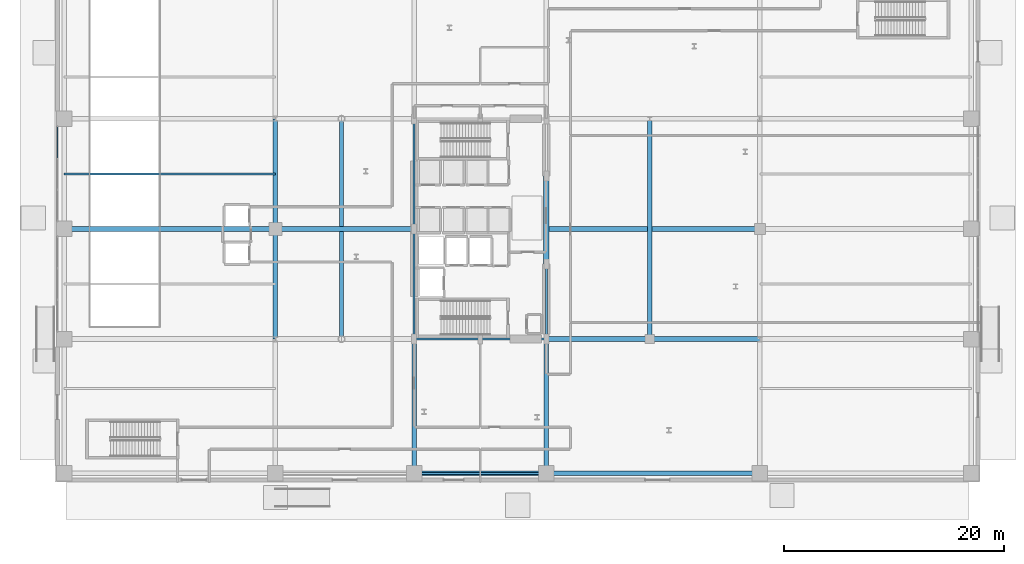
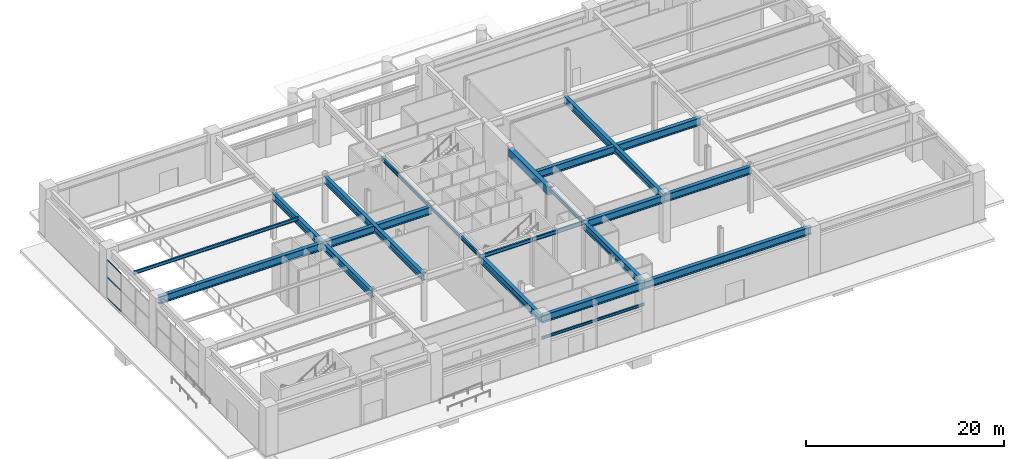
# One storey, part 10 of 31: 21 beams, 3 members, 1 element without a shape of its own.
"""IFC4 building model written with IfcOpenShell, lengths in metres."""

from ifc_helpers import new_model, si_unit, direction, frame, origin, origin_2d, place, context, subcontext, project, spatial, rectangle, hollow_rectangle, i_section, extrude, material, layer, layer_set, material_profile, profile_set, type_object, element, aggregate, save


model = new_model("IFC4")

# Units and contexts
model_context = context("Model", 3, precision=1e-05, world=origin(), true_north=direction((0.0, 1.0)))
body_context = subcontext(model_context, "Body", "Model", "MODEL_VIEW")
ifc_project = project(units=[si_unit("LENGTHUNIT", "METRE"), si_unit("AREAUNIT", "SQUARE_METRE"), si_unit("VOLUMEUNIT", "CUBIC_METRE"), si_unit("PLANEANGLEUNIT", "RADIAN"), si_unit("MASSUNIT", "GRAM", prefix="KILO")], contexts=[model_context])

# Site, building, storey
site_placement = place(None, origin())
site = spatial("IfcSite", under=ifc_project, at=site_placement, CompositionType="ELEMENT")
building_placement = place(site_placement, origin())
building = spatial("IfcBuilding", under=site, at=building_placement, Name="Soratama Intermodal Tower", CompositionType="ELEMENT")
storey_placement = place(building_placement, origin())
storey = spatial("IfcBuildingStorey", under=building, at=storey_placement, Name="L00", CompositionType="ELEMENT", Elevation=0.0)

# Beams
ifc_material_1 = material(Name="Concrete f'c 56 MPa", Category="concrete")
ifc_material_profile_1 = material_profile(ifc_material_1, rectangle(XDim=0.5, YDim=0.949951171875, at=origin_2d()), Name="RC500X950")
ifc_profile_set_1 = profile_set([ifc_material_profile_1], Name="Concrete f'c 56 MPa")
beam_type_1 = type_object("IfcBeamType", Name="BM-CPL-RC500X950", PredefinedType="BEAM", material=ifc_profile_set_1)
beam_1_placement = place(storey_placement, frame((44.60009765625, 21.800048828125, 5.205078125), z_axis=(0.0, 1.0, 0.0), x_axis=(-1.0, 0.0, 0.0)))
element("IfcBeam", 1, at=beam_1_placement, inside=storey, type_object=beam_type_1, Name="L00 Core Coupling Beam East", PredefinedType="BEAM", context=body_context, shape_type="SweptSolid", body=[
    extrude(rectangle(XDim=0.5, YDim=0.949951171875, at=origin_2d()), origin(), (0.0, 0.0, 1.0), 8.0),
])
ifc_material_2 = material(Name="Structural steel ASTM A992 Grade 50", Category="steel")
ifc_material_profile_2 = material_profile(ifc_material_2, i_section(OverallWidth=0.19091796875, OverallDepth=0.4599609375, WebThickness=0.010009765625, FlangeThickness=0.01611328125, FilletRadius=0.010986328125, at=origin_2d()), Name="W18X55")
ifc_profile_set_2 = profile_set([ifc_material_profile_2], Name="Structural steel ASTM A992 Grade 50")
beam_type_2 = type_object("IfcBeamType", Name="BM-FLR-W18X55", PredefinedType="BEAM", material=ifc_profile_set_2)
for number, where, z_axis, x_axis, name in (
    (2, (32.60009765625, 15.0, 5.449951171875), (1.0, 0.0, 0.0), (0.0, 1.0, 0.0), "BM-L00-CRING-01"),
    (3, (38.60009765625, 15.0, 5.449951171875), (1.0, 0.0, 0.0), (0.0, 1.0, 0.0), "BM-L00-CRING-02"),
):
    element("IfcBeam", number, at=place(storey_placement, frame(where, z_axis=z_axis, x_axis=x_axis)), inside=storey, type_object=beam_type_2, Name=name, PredefinedType="BEAM", context=body_context, shape_type="SweptSolid", body=[
        extrude(i_section(OverallWidth=0.19091796875, OverallDepth=0.4599609375, WebThickness=0.010009765625, FlangeThickness=0.01611328125, FilletRadius=0.010986328125, at=origin_2d()), origin(), (0.0, 0.0, 1.0), 6.0),
    ])
beam_2_placement = place(storey_placement, frame((44.60009765625, 15.0, 5.449951171875), z_axis=(0.0, 1.0, 0.0), x_axis=(-1.0, 0.0, 0.0)))
element("IfcBeam", 4, at=beam_2_placement, inside=storey, type_object=beam_type_2, Name="BM-L00-CRING-03", PredefinedType="BEAM", context=body_context, shape_type="SweptSolid", body=[
    extrude(i_section(OverallWidth=0.19091796875, OverallDepth=0.4599609375, WebThickness=0.010009765625, FlangeThickness=0.01611328125, FilletRadius=0.010986328125, at=origin_2d()), origin(), (0.0, 0.0, 1.0), 6.800048828125),
])
for number, where, z_axis, x_axis, name in (
    (5, (32.60009765625, 35.0, 5.449951171875), (0.0, -1.0, 0.0), (1.0, 0.0, 0.0), "BM-L00-CRING-08"),
    (6, (32.60009765625, 25.0, 5.449951171875), (0.0, -1.0, 0.0), (1.0, 0.0, 0.0), "BM-L00-CRING-09"),
):
    element("IfcBeam", number, at=place(storey_placement, frame(where, z_axis=z_axis, x_axis=x_axis)), inside=storey, type_object=beam_type_2, Name=name, PredefinedType="BEAM", context=body_context, shape_type="SweptSolid", body=[
        extrude(i_section(OverallWidth=0.19091796875, OverallDepth=0.4599609375, WebThickness=0.010009765625, FlangeThickness=0.01611328125, FilletRadius=0.010986328125, at=origin_2d()), origin(), (0.0, 0.0, 1.0), 10.0),
    ])
ifc_material_3 = material(Name="Structural steel ASTM A992 Grade 50", Category="steel")
ifc_material_profile_3 = material_profile(ifc_material_3, i_section(OverallWidth=0.177978515625, OverallDepth=0.406982421875, WebThickness=0.0078125, FlangeThickness=0.0126953125, FilletRadius=0.010009765625, at=origin_2d()), Name="W16X40")
ifc_profile_set_3 = profile_set([ifc_material_profile_3], Name="Structural steel ASTM A992 Grade 50")
beam_type_3 = type_object("IfcBeamType", Name="BM-JST-W16X40", PredefinedType="JOIST", material=ifc_profile_set_3)
beam_3_placement = place(storey_placement, frame((0.800048828125, 30.0, 5.4765625), z_axis=(1.0, 0.0, 0.0), x_axis=(0.0, 1.0, 0.0)))
element("IfcBeam", 7, at=beam_3_placement, inside=storey, type_object=beam_type_3, Name="JST-L00-W3", PredefinedType="JOIST", context=body_context, shape_type="SweptSolid", body=[
    extrude(i_section(OverallWidth=0.177978515625, OverallDepth=0.406982421875, WebThickness=0.0078125, FlangeThickness=0.0126953125, FilletRadius=0.010009765625, at=origin_2d()), origin(), (0.0, 0.0, 1.0), 19.199951171875),
])
ifc_material_4 = material(Name="Structural steel ASTM A992 Grade 50", Category="steel")
ifc_material_profile_4 = material_profile(ifc_material_4, i_section(OverallWidth=0.1650390625, OverallDepth=0.31005859375, WebThickness=0.005859375, FlangeThickness=0.009765625, FilletRadius=0.008056640625, at=origin_2d()), Name="W12X26")
ifc_profile_set_4 = profile_set([ifc_material_profile_4], Name="Structural steel ASTM A992 Grade 50")
beam_type_4 = type_object("IfcBeamType", Name="BM-LNT-W12X26", PredefinedType="LINTEL", material=ifc_profile_set_4)
beam_4_placement = place(storey_placement, frame((32.60009765625, 2.800048828125, 2.804931640625), z_axis=(1.0, 0.0, 0.0), x_axis=(0.0, 1.0, 0.0)))
element("IfcBeam", 8, at=beam_4_placement, inside=storey, type_object=beam_type_4, Name="L00 Facade Transom Lintel 2", PredefinedType="LINTEL", context=body_context, shape_type="SweptSolid", body=[
    extrude(i_section(OverallWidth=0.1650390625, OverallDepth=0.31005859375, WebThickness=0.005859375, FlangeThickness=0.009765625, FilletRadius=0.008056640625, at=origin_2d()), origin(), (0.0, 0.0, 1.0), 12.0),
])
ifc_material_5 = material(Name="Structural steel ASTM A992 Grade 50", Category="steel")
ifc_material_profile_5 = material_profile(ifc_material_5, i_section(OverallWidth=0.423095703125, OverallDepth=0.93896484375, WebThickness=0.02392578125, FlangeThickness=0.042724609375, FilletRadius=0.02392578125, at=origin_2d()), Name="W36X302")
ifc_profile_set_5 = profile_set([ifc_material_profile_5], Name="Structural steel ASTM A992 Grade 50")
beam_type_5 = type_object("IfcBeamType", Name="BM-POD-EXT-W36", PredefinedType="BEAM", material=ifc_profile_set_5)
beam_5_placement = place(storey_placement, frame((32.60009765625, 2.800048828125, 5.21044921875), z_axis=(1.0, 0.0, 0.0), x_axis=(0.0, 1.0, 0.0)))
element("IfcBeam", 9, at=beam_5_placement, inside=storey, type_object=beam_type_5, Name="L00 Station Girder X1-3", PredefinedType="BEAM", context=body_context, shape_type="SweptSolid", body=[
    extrude(i_section(OverallWidth=0.423095703125, OverallDepth=0.93896484375, WebThickness=0.02392578125, FlangeThickness=0.042724609375, FilletRadius=0.02392578125, at=origin_2d()), origin(), (0.0, 0.0, 1.0), 12.0),
])
beam_6_placement = place(storey_placement, frame((44.60009765625, 2.800048828125, 5.21044921875), z_axis=(1.0, 0.0, 0.0), x_axis=(0.0, 1.0, 0.0)))
element("IfcBeam", 10, at=beam_6_placement, inside=storey, type_object=beam_type_5, Name="L00 Station Girder X1-4", PredefinedType="BEAM", context=body_context, shape_type="SweptSolid", body=[
    extrude(i_section(OverallWidth=0.423095703125, OverallDepth=0.93896484375, WebThickness=0.02392578125, FlangeThickness=0.042724609375, FilletRadius=0.02392578125, at=origin_2d()), origin(), (0.0, 0.0, 1.0), 19.39990234375),
])
ifc_material_6 = material(Name="Structural steel ASTM A992 Grade 50", Category="steel")
ifc_material_profile_6 = material_profile(ifc_material_6, i_section(OverallWidth=0.403076171875, OverallDepth=0.867919921875, WebThickness=0.02099609375, FlangeThickness=0.03564453125, FilletRadius=0.01806640625, at=origin_2d()), Name="W33X241")
ifc_profile_set_6 = profile_set([ifc_material_profile_6], Name="Structural steel ASTM A992 Grade 50")
beam_type_6 = type_object("IfcBeamType", Name="BM-POD-W33X241", PredefinedType="BEAM", material=ifc_profile_set_6)
for number, where, z_axis, x_axis, name in (
    (11, (20.0, 15.0, 5.24609375), (0.0, 1.0, 0.0), (-1.0, 0.0, 0.0), "L00 Station Girder Y2-2"),
    (12, (20.0, 25.0, 5.24609375), (0.0, 1.0, 0.0), (-1.0, 0.0, 0.0), "L00 Station Girder Y2-3"),
):
    element("IfcBeam", number, at=place(storey_placement, frame(where, z_axis=z_axis, x_axis=x_axis)), inside=storey, type_object=beam_type_6, Name=name, PredefinedType="BEAM", context=body_context, shape_type="SweptSolid", body=[
        extrude(i_section(OverallWidth=0.403076171875, OverallDepth=0.867919921875, WebThickness=0.02099609375, FlangeThickness=0.03564453125, FilletRadius=0.01806640625, at=origin_2d()), origin(), (0.0, 0.0, 1.0), 10.0),
    ])
for number, where, z_axis, x_axis, name in (
    (13, (32.60009765625, 2.800048828125, 5.24609375), (0.0, 1.0, 0.0), (-1.0, 0.0, 0.0), "BM-L00-GYC-1-1"),
    (14, (44.60009765625, 2.800048828125, 5.24609375), (0.0, 1.0, 0.0), (-1.0, 0.0, 0.0), "BM-L00-GYC-2-1"),
):
    element("IfcBeam", number, at=place(storey_placement, frame(where, z_axis=z_axis, x_axis=x_axis)), inside=storey, type_object=beam_type_6, Name=name, PredefinedType="BEAM", context=body_context, shape_type="SweptSolid", body=[
        extrude(i_section(OverallWidth=0.403076171875, OverallDepth=0.867919921875, WebThickness=0.02099609375, FlangeThickness=0.03564453125, FilletRadius=0.01806640625, at=origin_2d()), origin(), (0.0, 0.0, 1.0), 12.199951171875),
    ])
for number, where, z_axis, x_axis, name in (
    (15, (26.0, 15.0, 5.24609375), (0.0, 1.0, 0.0), (-1.0, 0.0, 0.0), "BM-L00-GYS-1"),
    (16, (54.0, 15.0, 5.24609375), (0.0, 1.0, 0.0), (-1.0, 0.0, 0.0), "BM-L00-GYS-2"),
):
    element("IfcBeam", number, at=place(storey_placement, frame(where, z_axis=z_axis, x_axis=x_axis)), inside=storey, type_object=beam_type_6, Name=name, PredefinedType="BEAM", context=body_context, shape_type="SweptSolid", body=[
        extrude(i_section(OverallWidth=0.403076171875, OverallDepth=0.867919921875, WebThickness=0.02099609375, FlangeThickness=0.03564453125, FilletRadius=0.01806640625, at=origin_2d()), origin(), (0.0, 0.0, 1.0), 20.0),
    ])
ifc_material_7 = material(Name="Structural steel ASTM A992 Grade 50", Category="steel")
ifc_material_profile_7 = material_profile(ifc_material_7, i_section(OverallWidth=0.423095703125, OverallDepth=0.93896484375, WebThickness=0.02392578125, FlangeThickness=0.042724609375, FilletRadius=0.02392578125, at=origin_2d()), Name="W36X302")
ifc_profile_set_7 = profile_set([ifc_material_profile_7], Name="Structural steel ASTM A992 Grade 50")
beam_type_7 = type_object("IfcBeamType", Name="BM-POD-W36X302", PredefinedType="BEAM", material=ifc_profile_set_7)
beam_7_placement = place(storey_placement, frame((44.60009765625, 15.0, 5.21044921875), z_axis=(1.0, 0.0, 0.0), x_axis=(0.0, 1.0, 0.0)))
element("IfcBeam", 17, at=beam_7_placement, inside=storey, type_object=beam_type_7, Name="L00 Station Girder X2-4", PredefinedType="BEAM", context=body_context, shape_type="SweptSolid", body=[
    extrude(i_section(OverallWidth=0.423095703125, OverallDepth=0.93896484375, WebThickness=0.02392578125, FlangeThickness=0.042724609375, FilletRadius=0.02392578125, at=origin_2d()), origin(), (0.0, 0.0, 1.0), 9.39990234375),
])
beam_8_placement = place(storey_placement, frame((54.0, 15.0, 5.21044921875), z_axis=(1.0, 0.0, 0.0), x_axis=(0.0, 1.0, 0.0)))
element("IfcBeam", 18, at=beam_8_placement, inside=storey, type_object=beam_type_7, Name="L00 Station Girder X2-5", PredefinedType="BEAM", context=body_context, shape_type="SweptSolid", body=[
    extrude(i_section(OverallWidth=0.423095703125, OverallDepth=0.93896484375, WebThickness=0.02392578125, FlangeThickness=0.042724609375, FilletRadius=0.02392578125, at=origin_2d()), origin(), (0.0, 0.0, 1.0), 10.0),
])
beam_9_placement = place(storey_placement, frame((20.0, 25.0, 5.21044921875), z_axis=(1.0, 0.0, 0.0), x_axis=(0.0, 1.0, 0.0)))
element("IfcBeam", 19, at=beam_9_placement, inside=storey, type_object=beam_type_7, Name="L00 Station Girder X3-1", PredefinedType="BEAM", context=body_context, shape_type="SweptSolid", body=[
    extrude(i_section(OverallWidth=0.423095703125, OverallDepth=0.93896484375, WebThickness=0.02392578125, FlangeThickness=0.042724609375, FilletRadius=0.02392578125, at=origin_2d()), origin(), (0.0, 0.0, 1.0), 12.60009765625),
])
beam_10_placement = place(storey_placement, frame((44.60009765625, 25.0, 5.21044921875), z_axis=(1.0, 0.0, 0.0), x_axis=(0.0, 1.0, 0.0)))
element("IfcBeam", 20, at=beam_10_placement, inside=storey, type_object=beam_type_7, Name="L00 Station Girder X3-2", PredefinedType="BEAM", context=body_context, shape_type="SweptSolid", body=[
    extrude(i_section(OverallWidth=0.423095703125, OverallDepth=0.93896484375, WebThickness=0.02392578125, FlangeThickness=0.042724609375, FilletRadius=0.02392578125, at=origin_2d()), origin(), (0.0, 0.0, 1.0), 19.39990234375),
])
beam_11_placement = place(storey_placement, frame((0.800048828125, 25.0, 5.21044921875), z_axis=(1.0, 0.0, 0.0), x_axis=(0.0, 1.0, 0.0)))
element("IfcBeam", 21, at=beam_11_placement, inside=storey, type_object=beam_type_7, Name="L00 Station Girder X3-4", PredefinedType="BEAM", context=body_context, shape_type="SweptSolid", body=[
    extrude(i_section(OverallWidth=0.423095703125, OverallDepth=0.93896484375, WebThickness=0.02392578125, FlangeThickness=0.042724609375, FilletRadius=0.02392578125, at=origin_2d()), origin(), (0.0, 0.0, 1.0), 19.199951171875),
])

# Curtain wall, members
ifc_material_8 = material(Name="Double-glazed aluminium curtain wall", Category="aluminium")
ifc_layer = layer(ifc_material_8, 0.159912109375)
ifc_layer_set = layer_set([ifc_layer], Name="Double-glazed aluminium curtain wall")
curtain_wall_type = type_object("IfcCurtainWallType", Name="CW-SYS-1", PredefinedType="NOTDEFINED", material=ifc_layer_set)
curtain_wall_placement = place(storey_placement, origin())
curtain_wall = element("IfcCurtainWall", 22, at=curtain_wall_placement, inside=storey, type_object=curtain_wall_type, Name="L00 Station Curtain Wall W2", PredefinedType="NOTDEFINED")
ifc_material_9 = material(Name="Anodised aluminium AA 6063-T6", Category="aluminium")
ifc_material_profile_8 = material_profile(ifc_material_9, hollow_rectangle(XDim=0.06494140625, YDim=0.14990234375, WallThickness=0.0048828125, InnerFilletRadius=0.0048828125, OuterFilletRadius=0.010009765625, at=origin_2d()), Name="CWT150X65X5")
ifc_profile_set_8 = profile_set([ifc_material_profile_8], Name="Anodised aluminium AA 6063-T6")
member_type = type_object("IfcMemberType", Name="TT-CWT-1", PredefinedType="USERDEFINED", material=ifc_profile_set_8)
member_1_placement = place(storey_placement, frame((0.199951171875, 31.46337890625, 0.030029296875), z_axis=(0.0, 1.0, 0.0), x_axis=(-1.0, 0.0, 0.0)))
member_1 = element("IfcMember", 23, at=member_1_placement, type_object=member_type, Name="CW-1 transom 3.1", ObjectType="TRANSOM", PredefinedType="USERDEFINED", context=body_context, shape_type="SweptSolid", body=[
    extrude(hollow_rectangle(XDim=0.06494140625, YDim=0.14990234375, WallThickness=0.0048828125, InnerFilletRadius=0.0048828125, OuterFilletRadius=0.010009765625, at=origin_2d()), origin(), (0.0, 0.0, 1.0), 2.776611328125),
])
member_2_placement = place(storey_placement, frame((0.199951171875, 31.46337890625, 2.60009765625), z_axis=(0.0, 1.0, 0.0), x_axis=(-1.0, 0.0, 0.0)))
member_2 = element("IfcMember", 24, at=member_2_placement, type_object=member_type, Name="CW-1 transom 3.2", ObjectType="TRANSOM", PredefinedType="USERDEFINED", context=body_context, shape_type="SweptSolid", body=[
    extrude(hollow_rectangle(XDim=0.06494140625, YDim=0.14990234375, WallThickness=0.0048828125, InnerFilletRadius=0.0048828125, OuterFilletRadius=0.010009765625, at=origin_2d()), origin(), (0.0, 0.0, 1.0), 2.776611328125),
])
member_3_placement = place(storey_placement, frame((0.199951171875, 31.46337890625, 4.7060546875), z_axis=(0.0, 1.0, 0.0), x_axis=(-1.0, 0.0, 0.0)))
member_3 = element("IfcMember", 25, at=member_3_placement, type_object=member_type, Name="CW-1 transom 3.3", ObjectType="TRANSOM", PredefinedType="USERDEFINED", context=body_context, shape_type="SweptSolid", body=[
    extrude(hollow_rectangle(XDim=0.06494140625, YDim=0.14990234375, WallThickness=0.0048828125, InnerFilletRadius=0.0048828125, OuterFilletRadius=0.010009765625, at=origin_2d()), origin(), (0.0, 0.0, 1.0), 2.776611328125),
])
aggregate(curtain_wall, [member_1, member_2, member_3])

save(model, "model.ifc")
